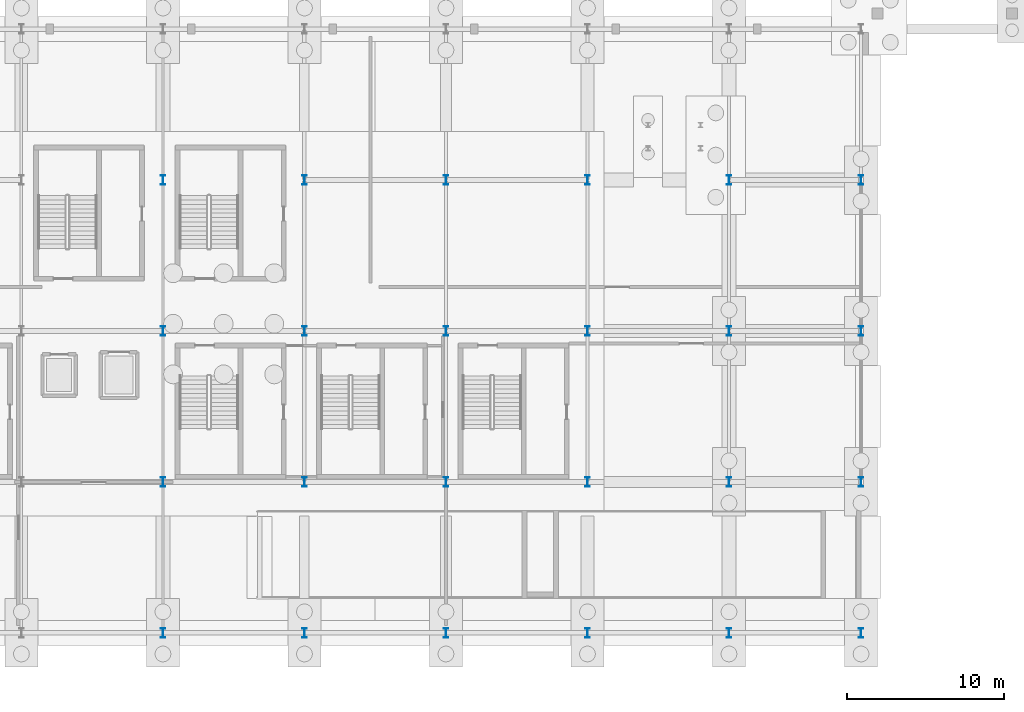
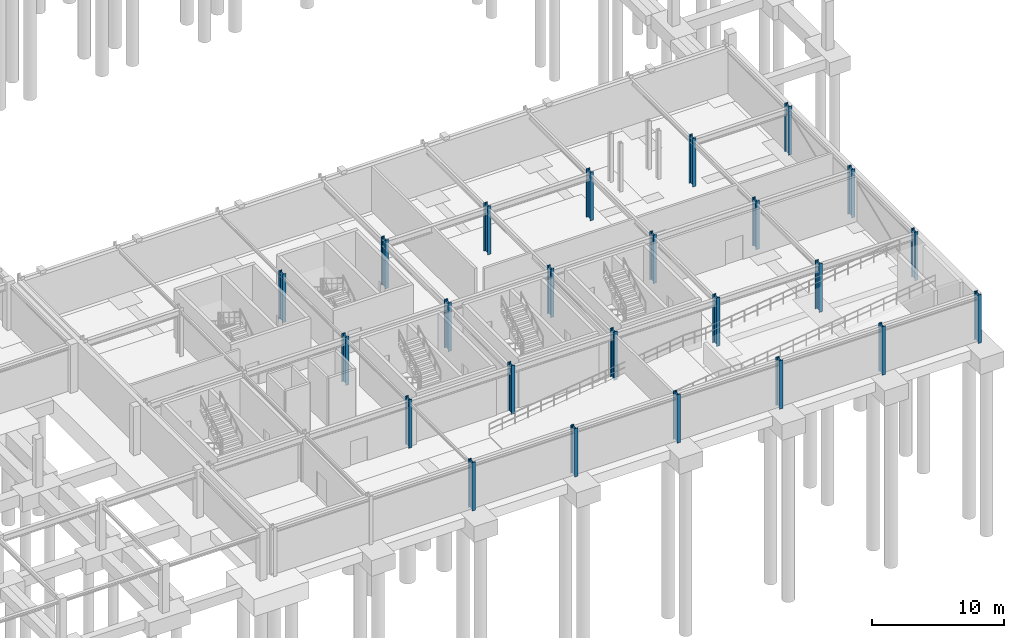
# One storey, part 23 of 59: 24 columns.
"""IFC4 building model written with IfcOpenShell, lengths in metres."""

from ifc_helpers import new_model, si_unit, direction, frame, origin, origin_2d, place, context, subcontext, project, spatial, i_section, extrude, material, material_profile, profile_set, type_object, element, save


model = new_model("IFC4")

# Units and contexts
model_context = context("Model", 3, precision=1e-05, world=origin(), true_north=direction((0.0, 1.0)))
body_context = subcontext(model_context, "Body", "Model", "MODEL_VIEW")
ifc_project = project(units=[si_unit("LENGTHUNIT", "METRE"), si_unit("AREAUNIT", "SQUARE_METRE"), si_unit("VOLUMEUNIT", "CUBIC_METRE"), si_unit("PLANEANGLEUNIT", "RADIAN"), si_unit("MASSUNIT", "GRAM", prefix="KILO")], contexts=[model_context])

# Site, building, storey
site_placement = place(None, origin())
site = spatial("IfcSite", under=ifc_project, at=site_placement, CompositionType="ELEMENT")
building_placement = place(site_placement, origin())
building = spatial("IfcBuilding", under=site, at=building_placement, Name="Myrtia Square Station", CompositionType="ELEMENT")
storey_placement = place(building_placement, frame((0.0, 0.0, -4.5)))
storey = spatial("IfcBuildingStorey", under=building, at=storey_placement, Name="B01", CompositionType="ELEMENT", Elevation=-4.5)

# Columns
ifc_material = material(Name="Steel S355", Category="steel")
ifc_material_profile = material_profile(ifc_material, i_section(OverallWidth=0.300048828125, OverallDepth=0.60009765625, WebThickness=0.015380859375, FlangeThickness=0.030029296875, FilletRadius=0.027099609375, at=origin_2d()), Name="HEB 600")
ifc_profile_set = profile_set([ifc_material_profile], Name="Steel S355")
column_type = type_object("IfcColumnType", Name="COL-HEB600", PredefinedType="COLUMN", material=ifc_profile_set)
for number, where, z_axis, x_axis, name in (
    (1, (135.0, 0.0, 0.0), (0.0, 0.0, 1.0), (1.0, 0.0, 0.0), "Column B01-0609"),
    (2, (135.0, 9.60009765625, 0.0), (0.0, 0.0, 1.0), (1.0, 0.0, 0.0), "Column B01-0614"),
    (3, (135.0, 19.199951171875, 0.0), (0.0, 0.0, 1.0), (1.0, 0.0, 0.0), "Column B01-0619"),
    (4, (135.0, 28.800048828125, 0.0), (0.0, 0.0, 1.0), (1.0, 0.0, 0.0), "Column B01-0624"),
    (5, (144.0, 0.0, 0.0), (0.0, 0.0, 1.0), (1.0, 0.0, 0.0), "Column B01-0634"),
    (6, (144.0, 9.60009765625, 0.0), (0.0, 0.0, 1.0), (1.0, 0.0, 0.0), "Column B01-0639"),
    (7, (144.0, 19.199951171875, 0.0), (0.0, 0.0, 1.0), (1.0, 0.0, 0.0), "Column B01-0644"),
    (8, (144.0, 28.800048828125, 0.0), (0.0, 0.0, 1.0), (1.0, 0.0, 0.0), "Column B01-0649"),
    (9, (153.0, 0.0, 0.0), (0.0, 0.0, 1.0), (1.0, 0.0, 0.0), "Column B01-0659"),
    (10, (153.0, 9.60009765625, 0.0), (0.0, 0.0, 1.0), (1.0, 0.0, 0.0), "Column B01-0663"),
    (11, (153.0, 19.199951171875, 0.0), (0.0, 0.0, 1.0), (1.0, 0.0, 0.0), "Column B01-0667"),
    (12, (153.0, 28.800048828125, 0.0), (0.0, 0.0, 1.0), (1.0, 0.0, 0.0), "Column B01-0671"),
    (13, (162.0, 0.0, 0.0), (0.0, 0.0, 1.0), (1.0, 0.0, 0.0), "Column B01-0679"),
    (14, (162.0, 9.60009765625, 0.0), (0.0, 0.0, 1.0), (1.0, 0.0, 0.0), "Column B01-0683"),
    (15, (162.0, 19.199951171875, 0.0), (0.0, 0.0, 1.0), (1.0, 0.0, 0.0), "Column B01-0687"),
    (16, (162.0, 28.800048828125, 0.0), (0.0, 0.0, 1.0), (1.0, 0.0, 0.0), "Column B01-0691"),
    (17, (171.0, 0.0, 0.0), (0.0, 0.0, 1.0), (1.0, 0.0, 0.0), "Column B01-0699"),
    (18, (171.0, 9.60009765625, 0.0), (0.0, 0.0, 1.0), (1.0, 0.0, 0.0), "Column B01-0702"),
    (19, (171.0, 19.199951171875, 0.0), (0.0, 0.0, 1.0), (1.0, 0.0, 0.0), "Column B01-0705"),
    (20, (171.0, 28.800048828125, 0.0), (0.0, 0.0, 1.0), (1.0, 0.0, 0.0), "Column B01-0709"),
    (21, (179.39990234375, 0.0, 0.0), (0.0, 0.0, 1.0), (1.0, 0.0, 0.0), "Column B01-0717"),
    (22, (179.39990234375, 9.60009765625, 0.0), (0.0, 0.0, 1.0), (1.0, 0.0, 0.0), "Column B01-0720"),
    (23, (179.39990234375, 19.199951171875, 0.0), (0.0, 0.0, 1.0), (1.0, 0.0, 0.0), "Column B01-0723"),
    (24, (179.39990234375, 28.800048828125, 0.0), (0.0, 0.0, 1.0), (1.0, 0.0, 0.0), "Column B01-0727"),
):
    element("IfcColumn", number, at=place(storey_placement, frame(where, z_axis=z_axis, x_axis=x_axis)), inside=storey, type_object=column_type, Name=name, PredefinedType="COLUMN", context=body_context, shape_type="SweptSolid", body=[
        extrude(i_section(OverallWidth=0.300048828125, OverallDepth=0.60009765625, WebThickness=0.015380859375, FlangeThickness=0.030029296875, FilletRadius=0.027099609375, at=origin_2d()), origin(), (0.0, 0.0, 1.0), 4.5),
    ])

save(model, "model.ifc")
